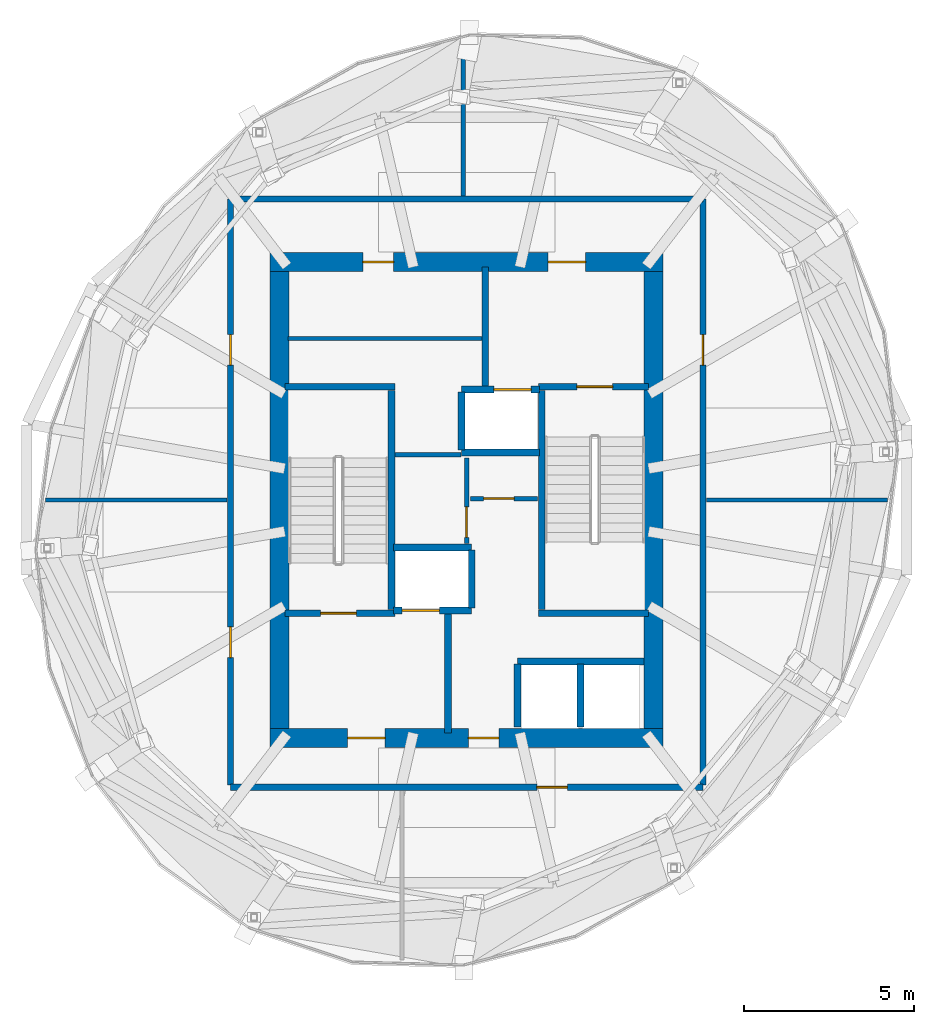
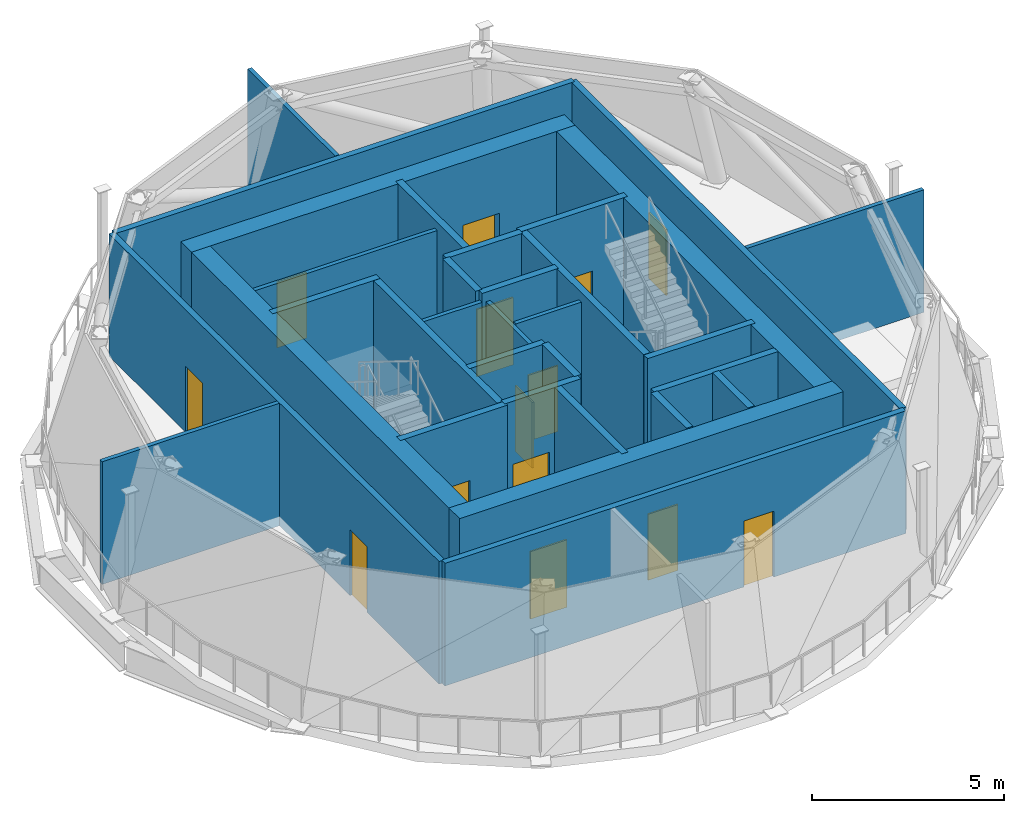
# One storey, part 4 of 7: 32 walls, 14 doors, 14 openings.
"""IFC4 building model written with IfcOpenShell, lengths in metres."""

from ifc_helpers import new_model, si_unit, direction, frame, frame_2d, origin, place, context, subcontext, project, spatial, rectangle, extrude, material, layer, layer_set, type_object, element, fill, save


model = new_model("IFC4")

# Units and contexts
model_context = context("Model", 3, precision=1e-05, world=origin(), true_north=direction((0.0, 1.0)))
body_context = subcontext(model_context, "Body", "Model", "MODEL_VIEW")
ifc_project = project(units=[si_unit("LENGTHUNIT", "METRE"), si_unit("AREAUNIT", "SQUARE_METRE"), si_unit("VOLUMEUNIT", "CUBIC_METRE"), si_unit("PLANEANGLEUNIT", "RADIAN"), si_unit("MASSUNIT", "GRAM", prefix="KILO")], contexts=[model_context])

# Site, building, storey
site_placement = place(None, origin())
site = spatial("IfcSite", under=ifc_project, at=site_placement, CompositionType="ELEMENT")
building_placement = place(site_placement, origin())
building = spatial("IfcBuilding", under=site, at=building_placement, Name="Veldorim Arch Residences", CompositionType="ELEMENT")
storey_placement = place(building_placement, frame((0.0, 0.0, 251.0400390625)))
storey = spatial("IfcBuildingStorey", under=building, at=storey_placement, Name="L75", CompositionType="ELEMENT", Elevation=251.0400390625)

# Wall
ifc_material_1 = material(Name="Acoustic Gypsum Board", Category="gypsum")
ifc_layer_1 = layer(ifc_material_1, 0.125, Name="Acoustic Stud Room Partition Wall 125")
ifc_layer_set_1 = layer_set([ifc_layer_1], Name="Acoustic Gypsum Board")
wall_type_1 = type_object("IfcWallType", Name="Acoustic Stud Room Partition Wall 125", PredefinedType="PARTITIONING", material=ifc_layer_set_1)
wall_1_placement = place(storey_placement, frame((26.75, 28.75, 0.0), z_axis=(0.0, 0.0, 1.0), x_axis=(1.0, 0.0, 0.0)))
element("IfcWall", 1, at=wall_1_placement, inside=storey, type_object=wall_type_1, Name="L75 interior wall WL-RB3-L75-S", PredefinedType="PARTITIONING", context=body_context, shape_type="SweptSolid", body=[
    extrude(rectangle(XDim=5.75, YDim=0.125, at=frame_2d((2.875, 0.0))), origin(), (0.0, 0.0, 1.0), 3.905029296875),
])

# Wall, opening, door
wall_2_placement = place(storey_placement, frame((32.0, 22.719970703125, 0.0), z_axis=(0.0, 0.0, 1.0), x_axis=(0.0, 1.0, 0.0)))
wall_2 = element("IfcWall", 2, at=wall_2_placement, inside=storey, type_object=wall_type_1, Name="L75 interior wall WL-CA-L75-1", PredefinedType="PARTITIONING", context=body_context, shape_type="SweptSolid", body=[
    extrude(rectangle(XDim=2.52001953125, YDim=0.125, at=frame_2d((1.260009765625, 0.0))), origin(), (0.0, 0.0, 1.0), 3.905029296875),
])
opening_1_placement = place(wall_2_placement, frame((0.179931640625, 0.0, 0.0)))
opening_1 = element("IfcOpeningElement", 3, at=opening_1_placement, cuts=wall_2, Name="Opening DR-SVC", PredefinedType="OPENING", context=body_context, shape_type="SweptSolid", body=[
    extrude(rectangle(XDim=0.89990234375, YDim=2.10009765625, at=frame_2d((0.449951171875, 1.050048828125))), frame((0.0, 0.072509765625, 0.0), z_axis=(0.0, -1.0, 0.0), x_axis=(1.0, 0.0, 0.0)), (0.0, 0.0, 1.0), 0.14501953125),
])
ifc_material_2 = material(Name="Fire-Rated Steel", Category="steel")
door_type_1 = type_object("IfcDoorType", Name="Riser, Shelter & Plant Room Rated Steel Door 900x2100", OperationType="SINGLE_SWING_LEFT", PredefinedType="DOOR", material=ifc_material_2)
door_1_placement = place(opening_1_placement, origin())
door_1 = element("IfcDoor", 4, at=door_1_placement, inside=storey, type_object=door_type_1, Name="L75 interior door DR-L75-CA2", OperationType="SINGLE_SWING_RIGHT", OverallHeight=2.10009765625, OverallWidth=0.89990234375, PredefinedType="DOOR", context=body_context, shape_type="SweptSolid", body=[
    extrude(rectangle(XDim=0.89990234375, YDim=2.10009765625, at=frame_2d((0.449951171875, 1.050048828125))), frame((0.0, 0.02490234375, 0.0), z_axis=(0.0, -1.0, 0.0), x_axis=(1.0, 0.0, 0.0)), (0.0, 0.0, 1.0), 0.050048828125),
])
fill(opening_1, door_1)

wall_3_placement = place(storey_placement, frame((32.110107421875, 24.0400390625, 0.0), z_axis=(0.0, 0.0, 1.0), x_axis=(1.0, 0.0, 0.0)))
wall_3 = element("IfcWall", 5, at=wall_3_placement, inside=storey, type_object=wall_type_1, Name="L75 interior wall WL-CA-L75-3", PredefinedType="PARTITIONING", context=body_context, shape_type="SweptSolid", body=[
    extrude(rectangle(XDim=1.969970703125, YDim=0.125, at=frame_2d((0.98486328125, 0.0))), origin(), (0.0, 0.0, 1.0), 3.905029296875),
])
opening_2_placement = place(wall_3_placement, frame((0.389892578125, 0.0, 0.0)))
opening_2 = element("IfcOpeningElement", 6, at=opening_2_placement, cuts=wall_3, Name="Opening DR-INT", PredefinedType="OPENING", context=body_context, shape_type="SweptSolid", body=[
    extrude(rectangle(XDim=0.89990234375, YDim=2.10009765625, at=frame_2d((0.449951171875, 1.050048828125))), frame((0.0, 0.072509765625, 0.0), z_axis=(0.0, -1.0, 0.0), x_axis=(1.0, 0.0, 0.0)), (0.0, 0.0, 1.0), 0.14501953125),
])
ifc_material_3 = material(Name="Engineered Timber", Category="wood")
door_type_2 = type_object("IfcDoorType", Name="Apartment Internal Room Timber Door 900x2100", OperationType="SINGLE_SWING_LEFT", PredefinedType="DOOR", material=ifc_material_3)
door_2_placement = place(opening_2_placement, origin())
door_2 = element("IfcDoor", 7, at=door_2_placement, inside=storey, type_object=door_type_2, Name="L75 interior door DR-L75-CA1", OperationType="SINGLE_SWING_LEFT", OverallHeight=2.10009765625, OverallWidth=0.89990234375, PredefinedType="DOOR", context=body_context, shape_type="SweptSolid", body=[
    extrude(rectangle(XDim=0.89990234375, YDim=2.10009765625, at=frame_2d((0.449951171875, 1.050048828125))), frame((0.0, 0.02490234375, 0.0), z_axis=(0.0, -1.0, 0.0), x_axis=(1.0, 0.0, 0.0)), (0.0, 0.0, 1.0), 0.050048828125),
])
fill(opening_2, door_2)

# Walls
wall_4_placement = place(storey_placement, frame((29.889892578125, 25.330078125, 0.0), z_axis=(0.0, 0.0, 1.0), x_axis=(1.0, 0.0, 0.0)))
element("IfcWall", 8, at=wall_4_placement, inside=storey, type_object=wall_type_1, Name="L75 interior wall WL-CA-L75-N", PredefinedType="PARTITIONING", context=body_context, shape_type="SweptSolid", body=[
    extrude(rectangle(XDim=1.940185546875, YDim=0.125, at=frame_2d((0.97021484375, 0.0))), origin(), (0.0, 0.0, 1.0), 3.905029296875),
])
wall_5_placement = place(storey_placement, frame((19.614013671875, 24.0, 0.0), z_axis=(0.0, 0.0, 1.0), x_axis=(1.0, 0.0, 0.0)))
element("IfcWall", 9, at=wall_5_placement, inside=storey, type_object=wall_type_1, Name="L75 interior wall WL-PLT-L75-005", PredefinedType="PARTITIONING", context=body_context, shape_type="SweptSolid", body=[
    extrude(rectangle(XDim=5.3359375, YDim=0.125, at=frame_2d((2.66796875, 0.0))), origin(), (0.0, 0.0, 1.0), 3.905029296875),
])
wall_6_placement = place(storey_placement, frame((31.89990234375, 37.5283203125, 0.0), z_axis=(0.0, 0.0, 1.0), x_axis=(0.0, -1.0, 0.0)))
element("IfcWall", 10, at=wall_6_placement, inside=storey, type_object=wall_type_1, Name="L75 interior wall WL-PLT-L75-007", PredefinedType="PARTITIONING", context=body_context, shape_type="SweptSolid", body=[
    extrude(rectangle(XDim=4.578369140625, YDim=0.125, at=frame_2d((2.2890625, 0.0))), origin(), (0.0, 0.0, 1.0), 3.905029296875),
])
wall_7_placement = place(storey_placement, frame((39.050048828125, 24.0, 0.0), z_axis=(0.0, 0.0, 1.0), x_axis=(1.0, 0.0, 0.0)))
element("IfcWall", 11, at=wall_7_placement, inside=storey, type_object=wall_type_1, Name="L75 interior wall WL-PLT-L75-008", PredefinedType="PARTITIONING", context=body_context, shape_type="SweptSolid", body=[
    extrude(rectangle(XDim=5.3359375, YDim=0.125, at=frame_2d((2.66796875, 0.0))), origin(), (0.0, 0.0, 1.0), 3.905029296875),
])

# Wall, opening, door
ifc_material_4 = material(Name="Lightweight Masonry Block & Gypsum", Category="masonry")
ifc_layer_2 = layer(ifc_material_4, 0.179931640625, Name="Compartment & Corridor Fire-Rated Party Wall 180")
ifc_layer_set_2 = layer_set([ifc_layer_2], Name="Lightweight Masonry Block & Gypsum")
wall_type_2 = type_object("IfcWallType", Name="Compartment & Corridor Fire-Rated Party Wall 180", PredefinedType="PARTITIONING", material=ifc_layer_set_2)
wall_8_placement = place(storey_placement, frame((38.949951171875, 15.550048828125, 0.0), z_axis=(0.0, 0.0, 1.0), x_axis=(-1.0, 0.0, 0.0)))
wall_8 = element("IfcWall", 12, at=wall_8_placement, inside=storey, type_object=wall_type_2, Name="L75 interior wall WL-PLT-L75-001", PredefinedType="PARTITIONING", context=body_context, shape_type="SweptSolid", body=[
    extrude(rectangle(XDim=13.89990234375, YDim=0.179931640625, at=frame_2d((6.949951171875, 0.0))), origin(), (0.0, 0.0, 1.0), 3.905029296875),
])
opening_3_placement = place(wall_8_placement, frame((3.985107421875, 0.0, 0.0)))
opening_3 = element("IfcOpeningElement", 13, at=opening_3_placement, cuts=wall_8, Name="Opening DR-SVC", PredefinedType="OPENING", context=body_context, shape_type="SweptSolid", body=[
    extrude(rectangle(XDim=0.89990234375, YDim=2.10009765625, at=frame_2d((0.449951171875, 1.050048828125))), frame((0.0, 0.099853515625, 0.0), z_axis=(0.0, -1.0, 0.0), x_axis=(1.0, 0.0, 0.0)), (0.0, 0.0, 1.0), 0.199951171875),
])
door_3_placement = place(opening_3_placement, origin())
door_3 = element("IfcDoor", 14, at=door_3_placement, inside=storey, type_object=door_type_1, Name="L75 interior door DR-PLT-L75-003", OperationType="SINGLE_SWING_LEFT", OverallHeight=2.10009765625, OverallWidth=0.89990234375, PredefinedType="DOOR", context=body_context, shape_type="SweptSolid", body=[
    extrude(rectangle(XDim=0.89990234375, YDim=2.10009765625, at=frame_2d((0.449951171875, 1.050048828125))), frame((0.0, 0.02490234375, 0.0), z_axis=(0.0, -1.0, 0.0), x_axis=(1.0, 0.0, 0.0)), (0.0, 0.0, 1.0), 0.050048828125),
])
fill(opening_3, door_3)

# Wall, openings, doors
wall_9_placement = place(storey_placement, frame((25.050048828125, 15.610107421875, 0.0), z_axis=(0.0, 0.0, 1.0), x_axis=(0.0, 1.0, 0.0)))
wall_9 = element("IfcWall", 15, at=wall_9_placement, inside=storey, type_object=wall_type_2, Name="L75 interior wall WL-PLT-L75-002", PredefinedType="PARTITIONING", context=body_context, shape_type="SweptSolid", body=[
    extrude(rectangle(XDim=17.239990234375, YDim=0.179931640625, at=frame_2d((8.6201171875, 0.0))), origin(), (0.0, 0.0, 1.0), 3.905029296875),
])
opening_4_placement = place(wall_9_placement, frame((3.7548828125, 0.0, 0.0)))
opening_4 = element("IfcOpeningElement", 16, at=opening_4_placement, cuts=wall_9, Name="Opening DR-SVC", PredefinedType="OPENING", context=body_context, shape_type="SweptSolid", body=[
    extrude(rectangle(XDim=0.89990234375, YDim=2.10009765625, at=frame_2d((0.449951171875, 1.050048828125))), frame((0.0, 0.099853515625, 0.0), z_axis=(0.0, -1.0, 0.0), x_axis=(1.0, 0.0, 0.0)), (0.0, 0.0, 1.0), 0.199951171875),
])
opening_5_placement = place(wall_9_placement, frame((12.35498046875, 0.0, 0.0)))
opening_5 = element("IfcOpeningElement", 17, at=opening_5_placement, cuts=wall_9, Name="Opening DR-SVC", PredefinedType="OPENING", context=body_context, shape_type="SweptSolid", body=[
    extrude(rectangle(XDim=0.89990234375, YDim=2.10009765625, at=frame_2d((0.449951171875, 1.050048828125))), frame((0.0, 0.099853515625, 0.0), z_axis=(0.0, -1.0, 0.0), x_axis=(1.0, 0.0, 0.0)), (0.0, 0.0, 1.0), 0.199951171875),
])
door_4_placement = place(opening_4_placement, origin())
door_4 = element("IfcDoor", 18, at=door_4_placement, inside=storey, type_object=door_type_1, Name="L75 interior door DR-PLT-L75-001", OperationType="SINGLE_SWING_LEFT", OverallHeight=2.10009765625, OverallWidth=0.89990234375, PredefinedType="DOOR", context=body_context, shape_type="SweptSolid", body=[
    extrude(rectangle(XDim=0.89990234375, YDim=2.10009765625, at=frame_2d((0.449951171875, 1.050048828125))), frame((0.0, 0.02490234375, 0.0), z_axis=(0.0, -1.0, 0.0), x_axis=(1.0, 0.0, 0.0)), (0.0, 0.0, 1.0), 0.050048828125),
])
fill(opening_4, door_4)
door_5_placement = place(opening_5_placement, origin())
door_5 = element("IfcDoor", 19, at=door_5_placement, inside=storey, type_object=door_type_1, Name="L75 interior door DR-PLT-L75-002", OperationType="SINGLE_SWING_RIGHT", OverallHeight=2.10009765625, OverallWidth=0.89990234375, PredefinedType="DOOR", context=body_context, shape_type="SweptSolid", body=[
    extrude(rectangle(XDim=0.89990234375, YDim=2.10009765625, at=frame_2d((0.449951171875, 1.050048828125))), frame((0.0, 0.02490234375, 0.0), z_axis=(0.0, -1.0, 0.0), x_axis=(1.0, 0.0, 0.0)), (0.0, 0.0, 1.0), 0.050048828125),
])
fill(opening_5, door_5)

# Wall
wall_10_placement = place(storey_placement, frame((25.110107421875, 32.85009765625, 0.0), z_axis=(0.0, 0.0, 1.0), x_axis=(1.0, 0.0, 0.0)))
element("IfcWall", 20, at=wall_10_placement, inside=storey, type_object=wall_type_2, Name="L75 interior wall WL-PLT-L75-003", PredefinedType="PARTITIONING", context=body_context, shape_type="SweptSolid", body=[
    extrude(rectangle(XDim=13.83984375, YDim=0.179931640625, at=frame_2d((6.919921875, 0.0))), origin(), (0.0, 0.0, 1.0), 3.905029296875),
])

# Wall, opening, door
wall_11_placement = place(storey_placement, frame((38.949951171875, 32.85009765625, 0.0), z_axis=(0.0, 0.0, 1.0), x_axis=(0.0, -1.0, 0.0)))
wall_11 = element("IfcWall", 21, at=wall_11_placement, inside=storey, type_object=wall_type_2, Name="L75 interior wall WL-PLT-L75-004", PredefinedType="PARTITIONING", context=body_context, shape_type="SweptSolid", body=[
    extrude(rectangle(XDim=17.239990234375, YDim=0.179931640625, at=frame_2d((8.6201171875, 0.0))), origin(), (0.0, 0.0, 1.0), 3.905029296875),
])
opening_6_placement = place(wall_11_placement, frame((3.985107421875, 0.0, 0.0)))
opening_6 = element("IfcOpeningElement", 22, at=opening_6_placement, cuts=wall_11, Name="Opening DR-SVC", PredefinedType="OPENING", context=body_context, shape_type="SweptSolid", body=[
    extrude(rectangle(XDim=0.89990234375, YDim=2.10009765625, at=frame_2d((0.449951171875, 1.050048828125))), frame((0.0, 0.099853515625, 0.0), z_axis=(0.0, -1.0, 0.0), x_axis=(1.0, 0.0, 0.0)), (0.0, 0.0, 1.0), 0.199951171875),
])
door_6_placement = place(opening_6_placement, origin())
door_6 = element("IfcDoor", 23, at=door_6_placement, inside=storey, type_object=door_type_1, Name="L75 interior door DR-PLT-L75-004", OperationType="SINGLE_SWING_RIGHT", OverallHeight=2.10009765625, OverallWidth=0.89990234375, PredefinedType="DOOR", context=body_context, shape_type="SweptSolid", body=[
    extrude(rectangle(XDim=0.89990234375, YDim=2.10009765625, at=frame_2d((0.449951171875, 1.050048828125))), frame((0.0, 0.02490234375, 0.0), z_axis=(0.0, -1.0, 0.0), x_axis=(1.0, 0.0, 0.0)), (0.0, 0.0, 1.0), 0.050048828125),
])
fill(opening_6, door_6)

# Walls
ifc_material_5 = material(Name="Concrete C50/60", Category="concrete")
ifc_layer_3 = layer(ifc_material_5, 0.199951171875, Name="Core Stair & Lift Shaft Enclosure Wall 200")
ifc_layer_set_3 = layer_set([ifc_layer_3], Name="Concrete C50/60")
wall_type_3 = type_object("IfcWallType", Name="Core Stair & Lift Shaft Enclosure Wall 200", PredefinedType="SHEAR", material=ifc_layer_set_3)
wall_12_placement = place(storey_placement, frame((29.7900390625, 20.780029296875, 0.0), z_axis=(0.0, 0.0, 1.0), x_axis=(0.0, 1.0, 0.0)))
element("IfcWall", 24, at=wall_12_placement, inside=storey, type_object=wall_type_3, Name="L75 shaft wall WL-SHF-L75-ST1-E", PredefinedType="SHEAR", context=body_context, shape_type="SweptSolid", body=[
    extrude(rectangle(XDim=6.43994140625, YDim=0.199951171875, at=frame_2d((3.219970703125, 0.0))), origin(), (0.0, 0.0, 1.0), 4.159912109375),
])
wall_13_placement = place(storey_placement, frame((26.64990234375, 27.330078125, 0.0), z_axis=(0.0, 0.0, 1.0), x_axis=(1.0, 0.0, 0.0)))
element("IfcWall", 25, at=wall_13_placement, inside=storey, type_object=wall_type_3, Name="L75 shaft wall WL-SHF-L75-ST1-N", PredefinedType="SHEAR", context=body_context, shape_type="SweptSolid", body=[
    extrude(rectangle(XDim=3.239990234375, YDim=0.199951171875, at=frame_2d((1.6201171875, 0.0))), origin(), (0.0, 0.0, 1.0), 4.159912109375),
])

# Wall, opening, door
wall_14_placement = place(storey_placement, frame((26.64990234375, 20.669921875, 0.0), z_axis=(0.0, 0.0, 1.0), x_axis=(1.0, 0.0, 0.0)))
wall_14 = element("IfcWall", 26, at=wall_14_placement, inside=storey, type_object=wall_type_3, Name="L75 shaft wall WL-SHF-L75-ST1-S", PredefinedType="SHEAR", context=body_context, shape_type="SweptSolid", body=[
    extrude(rectangle(XDim=3.239990234375, YDim=0.199951171875, at=frame_2d((1.6201171875, 0.0))), origin(), (0.0, 0.0, 1.0), 4.159912109375),
])
opening_7_placement = place(wall_14_placement, frame((1.054931640625, 0.0, 0.0)))
opening_7 = element("IfcOpeningElement", 27, at=opening_7_placement, cuts=wall_14, Name="Opening DR-ST", PredefinedType="OPENING", context=body_context, shape_type="SweptSolid", body=[
    extrude(rectangle(XDim=1.050048828125, YDim=2.14990234375, at=frame_2d((0.52490234375, 1.074951171875))), frame((0.0, 0.10986328125, 0.0), z_axis=(0.0, -1.0, 0.0), x_axis=(1.0, 0.0, 0.0)), (0.0, 0.0, 1.0), 0.219970703125),
])
ifc_material_6 = material(Name="Fire-Rated Steel", Category="steel")
door_type_3 = type_object("IfcDoorType", Name="Exit Staircase Self-Closing Fire Door 1050x2150", OperationType="SINGLE_SWING_LEFT", PredefinedType="DOOR", material=ifc_material_6)
door_7_placement = place(opening_7_placement, origin())
door_7 = element("IfcDoor", 28, at=door_7_placement, inside=storey, type_object=door_type_3, Name="L75 interior door DR-L75-ST1", OperationType="SINGLE_SWING_LEFT", OverallHeight=2.14990234375, OverallWidth=1.050048828125, PredefinedType="DOOR", context=body_context, shape_type="SweptSolid", body=[
    extrude(rectangle(XDim=1.050048828125, YDim=2.14990234375, at=frame_2d((0.52490234375, 1.074951171875))), frame((0.0, 0.02490234375, 0.0), z_axis=(0.0, -1.0, 0.0), x_axis=(1.0, 0.0, 0.0)), (0.0, 0.0, 1.0), 0.050048828125),
])
fill(opening_7, door_7)

# Walls
wall_15_placement = place(storey_placement, frame((34.2099609375, 20.780029296875, 0.0), z_axis=(0.0, 0.0, 1.0), x_axis=(0.0, 1.0, 0.0)))
element("IfcWall", 29, at=wall_15_placement, inside=storey, type_object=wall_type_3, Name="L75 shaft wall WL-SHF-L75-ST2-W", PredefinedType="SHEAR", context=body_context, shape_type="SweptSolid", body=[
    extrude(rectangle(XDim=6.43994140625, YDim=0.199951171875, at=frame_2d((3.219970703125, 0.0))), origin(), (0.0, 0.0, 1.0), 4.159912109375),
])
wall_16_placement = place(storey_placement, frame((34.110107421875, 20.669921875, 0.0), z_axis=(0.0, 0.0, 1.0), x_axis=(1.0, 0.0, 0.0)))
element("IfcWall", 30, at=wall_16_placement, inside=storey, type_object=wall_type_3, Name="L75 shaft wall WL-SHF-L75-ST2-S", PredefinedType="SHEAR", context=body_context, shape_type="SweptSolid", body=[
    extrude(rectangle(XDim=3.239990234375, YDim=0.199951171875, at=frame_2d((1.6201171875, 0.0))), origin(), (0.0, 0.0, 1.0), 4.159912109375),
])

# Wall, opening, door
wall_17_placement = place(storey_placement, frame((34.110107421875, 27.330078125, 0.0), z_axis=(0.0, 0.0, 1.0), x_axis=(1.0, 0.0, 0.0)))
wall_17 = element("IfcWall", 31, at=wall_17_placement, inside=storey, type_object=wall_type_3, Name="L75 shaft wall WL-SHF-L75-ST2-N", PredefinedType="SHEAR", context=body_context, shape_type="SweptSolid", body=[
    extrude(rectangle(XDim=3.239990234375, YDim=0.199951171875, at=frame_2d((1.6201171875, 0.0))), origin(), (0.0, 0.0, 1.0), 4.159912109375),
])
opening_8_placement = place(wall_17_placement, frame((1.135009765625, 0.0, 0.0)))
opening_8 = element("IfcOpeningElement", 32, at=opening_8_placement, cuts=wall_17, Name="Opening DR-ST", PredefinedType="OPENING", context=body_context, shape_type="SweptSolid", body=[
    extrude(rectangle(XDim=1.050048828125, YDim=2.14990234375, at=frame_2d((0.52490234375, 1.074951171875))), frame((0.0, 0.10986328125, 0.0), z_axis=(0.0, -1.0, 0.0), x_axis=(1.0, 0.0, 0.0)), (0.0, 0.0, 1.0), 0.219970703125),
])
door_8_placement = place(opening_8_placement, origin())
door_8 = element("IfcDoor", 33, at=door_8_placement, inside=storey, type_object=door_type_3, Name="L75 interior door DR-L75-ST2", OperationType="SINGLE_SWING_RIGHT", OverallHeight=2.14990234375, OverallWidth=1.050048828125, PredefinedType="DOOR", context=body_context, shape_type="SweptSolid", body=[
    extrude(rectangle(XDim=1.050048828125, YDim=2.14990234375, at=frame_2d((0.52490234375, 1.074951171875))), frame((0.0, 0.02490234375, 0.0), z_axis=(0.0, -1.0, 0.0), x_axis=(1.0, 0.0, 0.0)), (0.0, 0.0, 1.0), 0.050048828125),
])
fill(opening_8, door_8)

# Walls
for number, where, z_axis, x_axis, name in (
    (34, (31.449951171875, 17.14990234375, 0.0), (0.0, 0.0, 1.0), (0.0, 1.0, 0.0), "L75 shaft wall WL-FFL1-L75-E"),
    (35, (32.550048828125, 27.35009765625, 0.0), (0.0, 0.0, 1.0), (0.0, 1.0, 0.0), "L75 shaft wall WL-FFL2-L75-W"),
):
    element("IfcWall", number, at=place(storey_placement, frame(where, z_axis=z_axis, x_axis=x_axis)), inside=storey, type_object=wall_type_3, Name=name, PredefinedType="SHEAR", context=body_context, shape_type="SweptSolid", body=[
        extrude(rectangle(XDim=3.5, YDim=0.199951171875, at=frame_2d((1.75, 0.0))), origin(), (0.0, 0.0, 1.0), 4.159912109375),
    ])

# Wall, opening, door
wall_18_placement = place(storey_placement, frame((29.85009765625, 20.75, 0.0), z_axis=(0.0, 0.0, 1.0), x_axis=(1.0, 0.0, 0.0)))
wall_18 = element("IfcWall", 36, at=wall_18_placement, inside=storey, type_object=wall_type_3, Name="L75 shaft wall WL-FL01-L75-S", PredefinedType="SHEAR", context=body_context, shape_type="SweptSolid", body=[
    extrude(rectangle(XDim=2.2998046875, YDim=0.199951171875, at=frame_2d((1.14990234375, 0.0))), origin(), (0.0, 0.0, 1.0), 4.159912109375),
])
opening_9_placement = place(wall_18_placement, frame((0.25, 0.0, 0.0)))
opening_9 = element("IfcOpeningElement", 37, at=opening_9_placement, cuts=wall_18, Name="Opening LD-FF", PredefinedType="OPENING", context=body_context, shape_type="SweptSolid", body=[
    extrude(rectangle(XDim=1.10009765625, YDim=2.14990234375, at=frame_2d((0.550048828125, 1.074951171875))), frame((0.0, 0.10986328125, 0.0), z_axis=(0.0, -1.0, 0.0), x_axis=(1.0, 0.0, 0.0)), (0.0, 0.0, 1.0), 0.219970703125),
])
ifc_material_7 = material(Name="Stainless Steel", Category="steel")
door_type_4 = type_object("IfcDoorType", Name="Firefighting Lift Bi-Parting Sliding Landing Door 1100x2150", OperationType="DOUBLE_DOOR_SLIDING", PredefinedType="DOOR", material=ifc_material_7)
door_9_placement = place(opening_9_placement, origin())
door_9 = element("IfcDoor", 38, at=door_9_placement, inside=storey, type_object=door_type_4, Name="L75 lift landing door LD-L75-FL01", OperationType="DOUBLE_DOOR_SLIDING", OverallHeight=2.14990234375, OverallWidth=1.10009765625, PredefinedType="DOOR", context=body_context, shape_type="SweptSolid", body=[
    extrude(rectangle(XDim=1.10009765625, YDim=2.14990234375, at=frame_2d((0.550048828125, 1.074951171875))), frame((0.0, 0.02490234375, 0.0), z_axis=(0.0, -1.0, 0.0), x_axis=(1.0, 0.0, 0.0)), (0.0, 0.0, 1.0), 0.050048828125),
])
fill(opening_9, door_9)

# Walls
wall_19_placement = place(storey_placement, frame((29.85009765625, 22.60009765625, 0.0), z_axis=(0.0, 0.0, 1.0), x_axis=(1.0, 0.0, 0.0)))
element("IfcWall", 39, at=wall_19_placement, inside=storey, type_object=wall_type_3, Name="L75 shaft wall WL-FL01-L75-N", PredefinedType="SHEAR", context=body_context, shape_type="SweptSolid", body=[
    extrude(rectangle(XDim=2.2998046875, YDim=0.199951171875, at=frame_2d((1.14990234375, 0.0))), origin(), (0.0, 0.0, 1.0), 4.159912109375),
])
wall_20_placement = place(storey_placement, frame((32.14990234375, 20.820068359375, 0.0), z_axis=(0.0, 0.0, 1.0), x_axis=(0.0, 1.0, 0.0)))
element("IfcWall", 40, at=wall_20_placement, inside=storey, type_object=wall_type_3, Name="L75 shaft wall WL-FL01-L75-E", PredefinedType="SHEAR", context=body_context, shape_type="SweptSolid", body=[
    extrude(rectangle(XDim=1.7099609375, YDim=0.199951171875, at=frame_2d((0.85498046875, 0.0))), origin(), (0.0, 0.0, 1.0), 4.159912109375),
])

# Wall, opening, door
wall_21_placement = place(storey_placement, frame((31.85009765625, 27.25, 0.0), z_axis=(0.0, 0.0, 1.0), x_axis=(1.0, 0.0, 0.0)))
wall_21 = element("IfcWall", 41, at=wall_21_placement, inside=storey, type_object=wall_type_3, Name="L75 shaft wall WL-FL02-L75-N", PredefinedType="SHEAR", context=body_context, shape_type="SweptSolid", body=[
    extrude(rectangle(XDim=2.2998046875, YDim=0.199951171875, at=frame_2d((1.14990234375, 0.0))), origin(), (0.0, 0.0, 1.0), 4.159912109375),
])
opening_10_placement = place(wall_21_placement, frame((0.949951171875, 0.0, 0.0)))
opening_10 = element("IfcOpeningElement", 42, at=opening_10_placement, cuts=wall_21, Name="Opening LD-FF", PredefinedType="OPENING", context=body_context, shape_type="SweptSolid", body=[
    extrude(rectangle(XDim=1.10009765625, YDim=2.14990234375, at=frame_2d((0.550048828125, 1.074951171875))), frame((0.0, 0.10986328125, 0.0), z_axis=(0.0, -1.0, 0.0), x_axis=(1.0, 0.0, 0.0)), (0.0, 0.0, 1.0), 0.219970703125),
])
door_10_placement = place(opening_10_placement, origin())
door_10 = element("IfcDoor", 43, at=door_10_placement, inside=storey, type_object=door_type_4, Name="L75 lift landing door LD-L75-FL02", OperationType="DOUBLE_DOOR_SLIDING", OverallHeight=2.14990234375, OverallWidth=1.10009765625, PredefinedType="DOOR", context=body_context, shape_type="SweptSolid", body=[
    extrude(rectangle(XDim=1.10009765625, YDim=2.14990234375, at=frame_2d((0.550048828125, 1.074951171875))), frame((0.0, 0.02490234375, 0.0), z_axis=(0.0, -1.0, 0.0), x_axis=(1.0, 0.0, 0.0)), (0.0, 0.0, 1.0), 0.050048828125),
])
fill(opening_10, door_10)

# Walls
wall_22_placement = place(storey_placement, frame((31.85009765625, 25.39990234375, 0.0), z_axis=(0.0, 0.0, 1.0), x_axis=(1.0, 0.0, 0.0)))
element("IfcWall", 44, at=wall_22_placement, inside=storey, type_object=wall_type_3, Name="L75 shaft wall WL-FL02-L75-S", PredefinedType="SHEAR", context=body_context, shape_type="SweptSolid", body=[
    extrude(rectangle(XDim=2.2998046875, YDim=0.199951171875, at=frame_2d((1.14990234375, 0.0))), origin(), (0.0, 0.0, 1.0), 4.159912109375),
])
wall_23_placement = place(storey_placement, frame((31.85009765625, 25.469970703125, 0.0), z_axis=(0.0, 0.0, 1.0), x_axis=(0.0, 1.0, 0.0)))
element("IfcWall", 45, at=wall_23_placement, inside=storey, type_object=wall_type_3, Name="L75 shaft wall WL-FL02-L75-W", PredefinedType="SHEAR", context=body_context, shape_type="SweptSolid", body=[
    extrude(rectangle(XDim=1.7099609375, YDim=0.199951171875, at=frame_2d((0.85498046875, 0.0))), origin(), (0.0, 0.0, 1.0), 4.159912109375),
])
wall_24_placement = place(storey_placement, frame((33.5, 19.25, 0.0), z_axis=(0.0, 0.0, 1.0), x_axis=(1.0, 0.0, 0.0)))
element("IfcWall", 46, at=wall_24_placement, inside=storey, type_object=wall_type_3, Name="L75 shaft wall WL-OL-L75-N", PredefinedType="SHEAR", context=body_context, shape_type="SweptSolid", body=[
    extrude(rectangle(XDim=3.719970703125, YDim=0.199951171875, at=frame_2d((1.85986328125, 0.0))), origin(), (0.0, 0.0, 1.0), 4.159912109375),
])
for number, where, z_axis, x_axis, name in (
    (47, (33.5, 17.320068359375, 0.0), (0.0, 0.0, 1.0), (0.0, 1.0, 0.0), "L75 shaft wall WL-OL-L75-W"),
    (48, (35.35009765625, 17.320068359375, 0.0), (0.0, 0.0, 1.0), (0.0, 1.0, 0.0), "L75 shaft wall WL-OL-L75-D1"),
):
    element("IfcWall", number, at=place(storey_placement, frame(where, z_axis=z_axis, x_axis=x_axis)), inside=storey, type_object=wall_type_3, Name=name, PredefinedType="SHEAR", context=body_context, shape_type="SweptSolid", body=[
        extrude(rectangle(XDim=1.85986328125, YDim=0.199951171875, at=frame_2d((0.929931640625, 0.0))), origin(), (0.0, 0.0, 1.0), 4.159912109375),
    ])

# Wall, openings, doors
ifc_material_8 = material(Name="Concrete C50/60", Category="concrete")
ifc_layer_4 = layer(ifc_material_8, 0.5, Name="Upper Central Core Shear Wall 560")
ifc_layer_set_4 = layer_set([ifc_layer_4], Name="Concrete C50/60")
wall_type_4 = type_object("IfcWallType", Name="Upper Central Core Shear Wall 560", PredefinedType="SHEAR", material=ifc_layer_set_4)
wall_25_placement = place(storey_placement, frame((26.219970703125, 17.0, 0.0), z_axis=(0.0, 0.0, 1.0), x_axis=(1.0, 0.0, 0.0)))
wall_25 = element("IfcWall", 49, at=wall_25_placement, inside=storey, type_object=wall_type_4, Name="L75 central core south shear wall", PredefinedType="SHEAR", context=body_context, shape_type="SweptSolid", body=[
    extrude(rectangle(XDim=11.56005859375, YDim=0.56005859375, at=frame_2d((5.780029296875, 0.0))), origin(), (0.0, 0.0, 1.0), 4.159912109375),
])
opening_11_placement = place(wall_25_placement, frame((2.280029296875, 0.0, 0.0)))
opening_11 = element("IfcOpeningElement", 50, at=opening_11_placement, cuts=wall_25, Name="Opening DR-FFL", PredefinedType="OPENING", context=body_context, shape_type="SweptSolid", body=[
    extrude(rectangle(XDim=1.10009765625, YDim=2.14990234375, at=frame_2d((0.550048828125, 1.074951171875))), frame((0.0, 0.2900390625, 0.0), z_axis=(0.0, -1.0, 0.0), x_axis=(1.0, 0.0, 0.0)), (0.0, 0.0, 1.0), 0.580078125),
])
opening_12_placement = place(wall_25_placement, frame((5.830078125, 0.0, 0.0)))
opening_12 = element("IfcOpeningElement", 51, at=opening_12_placement, cuts=wall_25, Name="Opening DR-SVC", PredefinedType="OPENING", context=body_context, shape_type="SweptSolid", body=[
    extrude(rectangle(XDim=0.89990234375, YDim=2.10009765625, at=frame_2d((0.449951171875, 1.050048828125))), frame((0.0, 0.2900390625, 0.0), z_axis=(0.0, -1.0, 0.0), x_axis=(1.0, 0.0, 0.0)), (0.0, 0.0, 1.0), 0.580078125),
])
ifc_material_9 = material(Name="Fire-Rated Steel & Vision Glass", Category="steel")
door_type_5 = type_object("IfcDoorType", Name="Firefighting Lobby Smoke-Stop Fire Door 1100x2150", OperationType="SINGLE_SWING_LEFT", PredefinedType="DOOR", material=ifc_material_9)
door_11_placement = place(opening_11_placement, origin())
door_11 = element("IfcDoor", 52, at=door_11_placement, inside=storey, type_object=door_type_5, Name="L75 interior door DR-L75-FFL1", OperationType="SINGLE_SWING_RIGHT", OverallHeight=2.14990234375, OverallWidth=1.10009765625, PredefinedType="DOOR", context=body_context, shape_type="SweptSolid", body=[
    extrude(rectangle(XDim=1.10009765625, YDim=2.14990234375, at=frame_2d((0.550048828125, 1.074951171875))), frame((0.0, 0.02490234375, 0.0), z_axis=(0.0, -1.0, 0.0), x_axis=(1.0, 0.0, 0.0)), (0.0, 0.0, 1.0), 0.050048828125),
])
fill(opening_11, door_11)
door_12_placement = place(opening_12_placement, origin())
door_12 = element("IfcDoor", 53, at=door_12_placement, inside=storey, type_object=door_type_1, Name="L75 interior door DR-L75-COR-ANC", OperationType="SINGLE_SWING_LEFT", OverallHeight=2.10009765625, OverallWidth=0.89990234375, PredefinedType="DOOR", context=body_context, shape_type="SweptSolid", body=[
    extrude(rectangle(XDim=0.89990234375, YDim=2.10009765625, at=frame_2d((0.449951171875, 1.050048828125))), frame((0.0, 0.02490234375, 0.0), z_axis=(0.0, -1.0, 0.0), x_axis=(1.0, 0.0, 0.0)), (0.0, 0.0, 1.0), 0.050048828125),
])
fill(opening_12, door_12)

wall_26_placement = place(storey_placement, frame((26.219970703125, 31.0, 0.0), z_axis=(0.0, 0.0, 1.0), x_axis=(1.0, 0.0, 0.0)))
wall_26 = element("IfcWall", 54, at=wall_26_placement, inside=storey, type_object=wall_type_4, Name="L75 central core north shear wall", PredefinedType="SHEAR", context=body_context, shape_type="SweptSolid", body=[
    extrude(rectangle(XDim=11.56005859375, YDim=0.56005859375, at=frame_2d((5.780029296875, 0.0))), origin(), (0.0, 0.0, 1.0), 4.159912109375),
])
opening_13_placement = place(wall_26_placement, frame((8.179931640625, 0.0, 0.0)))
opening_13 = element("IfcOpeningElement", 55, at=opening_13_placement, cuts=wall_26, Name="Opening DR-FFL", PredefinedType="OPENING", context=body_context, shape_type="SweptSolid", body=[
    extrude(rectangle(XDim=1.10009765625, YDim=2.14990234375, at=frame_2d((0.550048828125, 1.074951171875))), frame((0.0, 0.2900390625, 0.0), z_axis=(0.0, -1.0, 0.0), x_axis=(1.0, 0.0, 0.0)), (0.0, 0.0, 1.0), 0.580078125),
])
opening_14_placement = place(wall_26_placement, frame((2.72998046875, 0.0, 0.0)))
opening_14 = element("IfcOpeningElement", 56, at=opening_14_placement, cuts=wall_26, Name="Opening DR-SVC", PredefinedType="OPENING", context=body_context, shape_type="SweptSolid", body=[
    extrude(rectangle(XDim=0.89990234375, YDim=2.10009765625, at=frame_2d((0.449951171875, 1.050048828125))), frame((0.0, 0.2900390625, 0.0), z_axis=(0.0, -1.0, 0.0), x_axis=(1.0, 0.0, 0.0)), (0.0, 0.0, 1.0), 0.580078125),
])
door_13_placement = place(opening_13_placement, origin())
door_13 = element("IfcDoor", 57, at=door_13_placement, inside=storey, type_object=door_type_5, Name="L75 interior door DR-L75-FFL2", OperationType="SINGLE_SWING_LEFT", OverallHeight=2.14990234375, OverallWidth=1.10009765625, PredefinedType="DOOR", context=body_context, shape_type="SweptSolid", body=[
    extrude(rectangle(XDim=1.10009765625, YDim=2.14990234375, at=frame_2d((0.550048828125, 1.074951171875))), frame((0.0, 0.02490234375, 0.0), z_axis=(0.0, -1.0, 0.0), x_axis=(1.0, 0.0, 0.0)), (0.0, 0.0, 1.0), 0.050048828125),
])
fill(opening_13, door_13)
door_14_placement = place(opening_14_placement, origin())
door_14 = element("IfcDoor", 58, at=door_14_placement, inside=storey, type_object=door_type_1, Name="L75 interior door DR-L75-RB3", OperationType="SINGLE_SWING_LEFT", OverallHeight=2.10009765625, OverallWidth=0.89990234375, PredefinedType="DOOR", context=body_context, shape_type="SweptSolid", body=[
    extrude(rectangle(XDim=0.89990234375, YDim=2.10009765625, at=frame_2d((0.449951171875, 1.050048828125))), frame((0.0, 0.02490234375, 0.0), z_axis=(0.0, -1.0, 0.0), x_axis=(1.0, 0.0, 0.0)), (0.0, 0.0, 1.0), 0.050048828125),
])
fill(opening_14, door_14)

# Walls
for number, where, z_axis, x_axis, name in (
    (59, (26.5, 17.280029296875, 0.0), (0.0, 0.0, 1.0), (0.0, 1.0, 0.0), "L75 central core west shear wall"),
    (60, (37.5, 17.280029296875, 0.0), (0.0, 0.0, 1.0), (0.0, 1.0, 0.0), "L75 central core east shear wall"),
):
    element("IfcWall", number, at=place(storey_placement, frame(where, z_axis=z_axis, x_axis=x_axis)), inside=storey, type_object=wall_type_4, Name=name, PredefinedType="SHEAR", context=body_context, shape_type="SweptSolid", body=[
        extrude(rectangle(XDim=13.43994140625, YDim=0.56005859375, at=frame_2d((6.719970703125, 0.0))), origin(), (0.0, 0.0, 1.0), 4.159912109375),
    ])

save(model, "model.ifc")
